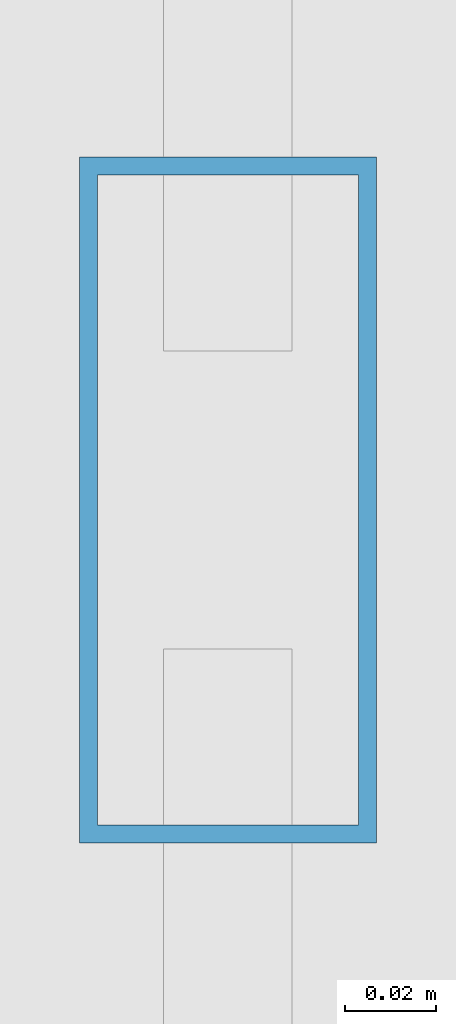
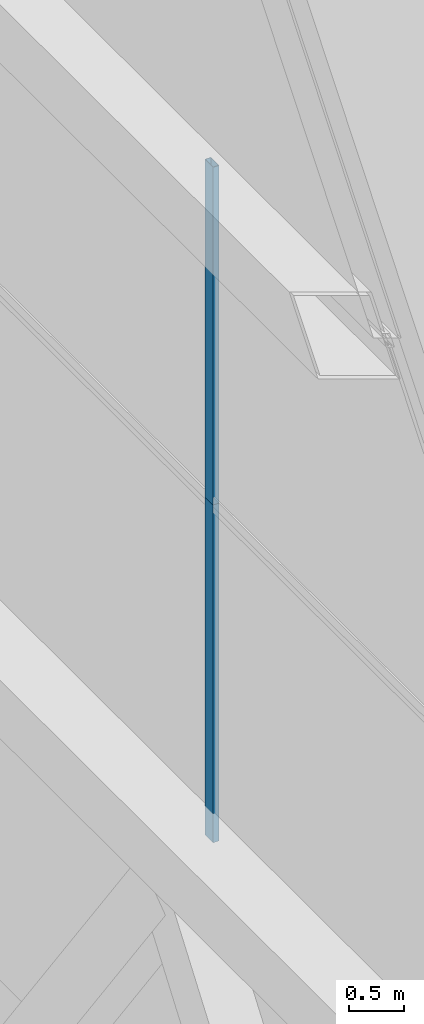
# One storey, part 7 of 28: 2 members, 2 elements without a shape of their own.
"""IFC4 building model written with IfcOpenShell, lengths in metres."""

from ifc_helpers import new_model, si_unit, direction, frame, origin, origin_2d, place, context, subcontext, project, spatial, hollow_rectangle, extrude, material, material_profile, profile_set, type_object, element, aggregate, save


model = new_model("IFC4")

# Units and contexts
model_context = context("Model", 3, precision=1e-05, world=origin(), true_north=direction((0.0, 1.0)))
body_context = subcontext(model_context, "Body", "Model", "MODEL_VIEW")
ifc_project = project(units=[si_unit("LENGTHUNIT", "METRE"), si_unit("AREAUNIT", "SQUARE_METRE"), si_unit("VOLUMEUNIT", "CUBIC_METRE"), si_unit("PLANEANGLEUNIT", "RADIAN"), si_unit("MASSUNIT", "GRAM", prefix="KILO")], contexts=[model_context])

# Site, building, storey
site_placement = place(None, origin())
site = spatial("IfcSite", under=ifc_project, at=site_placement, CompositionType="ELEMENT")
building_placement = place(site_placement, origin())
building = spatial("IfcBuilding", under=site, at=building_placement, Name="Tashvorn Skyway Center", CompositionType="ELEMENT")
storey_placement = place(building_placement, frame((0.0, 0.0, 277.60009765625)))
storey = spatial("IfcBuildingStorey", under=building, at=storey_placement, Name="Roof Level", CompositionType="ELEMENT", Elevation=277.60009765625)

# Curtain wall, member
ifc_material = material(Name="Thermally broken bronze-anodized aluminium 6063-T6", Category="aluminium")
curtain_wall_type = type_object("IfcCurtainWallType", Name="CW-CW-SKY", PredefinedType="NOTDEFINED", material=ifc_material)
curtain_wall_1_placement = place(storey_placement, origin())
curtain_wall_1 = element("IfcCurtainWall", 1, at=curtain_wall_1_placement, inside=storey, type_object=curtain_wall_type, Name="CROWN Lantern Fritted Curtain Wall T1 W-3", PredefinedType="NOTDEFINED")
ifc_material_profile = material_profile(ifc_material, hollow_rectangle(XDim=0.06494140625, YDim=0.14990234375, WallThickness=0.00390625, at=origin_2d()), Name="ALU-MULL-65x150")
ifc_profile_set = profile_set([ifc_material_profile], Name="Thermally broken bronze-anodized aluminium 6063-T6")
member_type = type_object("IfcMemberType", Name="CWM-CW-SKY", PredefinedType="MULLION", material=ifc_profile_set)
member_1_placement = place(storey_placement, frame((27.780029296875, 32.0, 7.52978515625), z_axis=(0.0, 0.0, 1.0), x_axis=(-1.0, 0.0, 0.0)))
member_1 = element("IfcMember", 2, at=member_1_placement, type_object=member_type, Name="CW-SKY mullion 2", PredefinedType="MULLION", context=body_context, shape_type="SweptSolid", body=[
    extrude(hollow_rectangle(XDim=0.06494140625, YDim=0.14990234375, WallThickness=0.00390625, at=origin_2d()), origin(), (0.0, 0.0, 1.0), 3.76513671875),
])
aggregate(curtain_wall_1, [member_1])

curtain_wall_2_placement = place(storey_placement, origin())
curtain_wall_2 = element("IfcCurtainWall", 3, at=curtain_wall_2_placement, inside=storey, type_object=curtain_wall_type, Name="CROWN Lantern Fritted Curtain Wall T1 W-4", PredefinedType="NOTDEFINED")
member_2_placement = place(storey_placement, frame((27.780029296875, 32.0, 11.294921875), z_axis=(0.0, 0.0, 1.0), x_axis=(-1.0, 0.0, 0.0)))
member_2 = element("IfcMember", 4, at=member_2_placement, type_object=member_type, Name="CW-SKY mullion 2", PredefinedType="MULLION", context=body_context, shape_type="SweptSolid", body=[
    extrude(hollow_rectangle(XDim=0.06494140625, YDim=0.14990234375, WallThickness=0.00390625, at=origin_2d()), origin(), (0.0, 0.0, 1.0), 3.764892578125),
])
aggregate(curtain_wall_2, [member_2])

save(model, "model.ifc")
